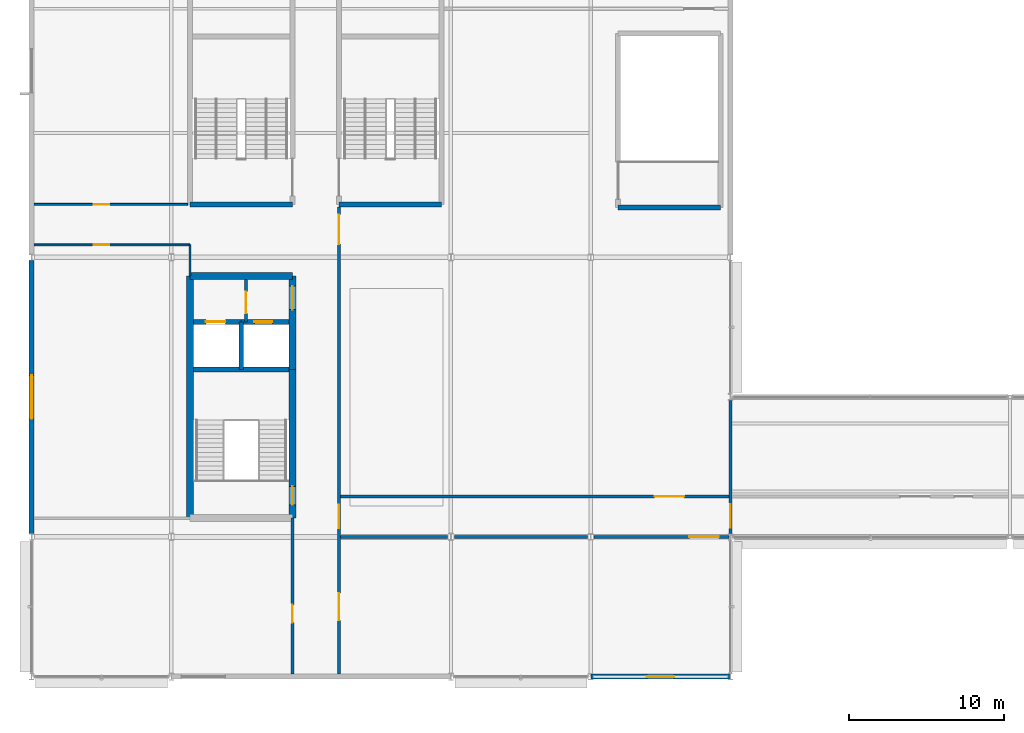
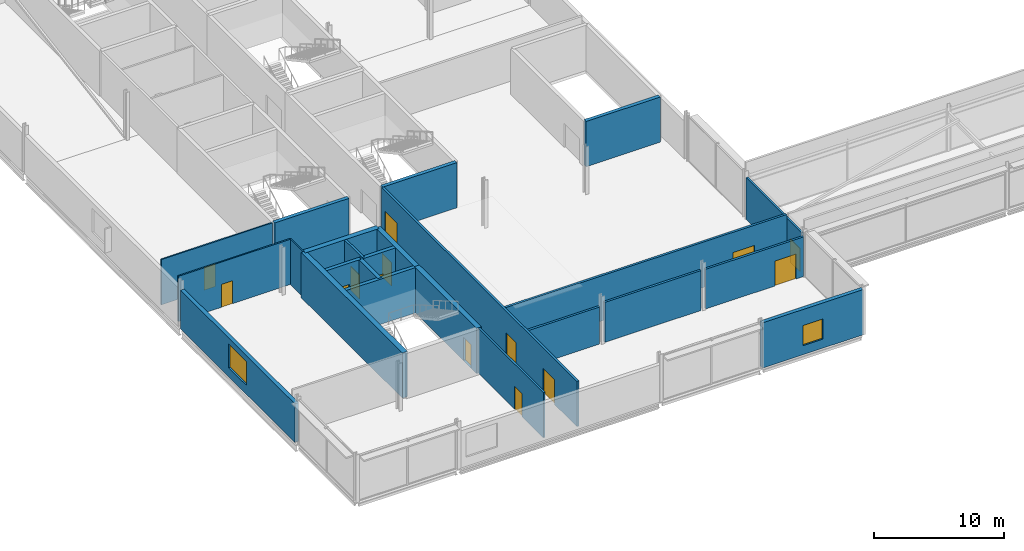
# One storey, part 36 of 73: 24 walls, 14 doors, 2 windows, 16 openings.
"""IFC4 building model written with IfcOpenShell, lengths in metres."""

from ifc_helpers import new_model, si_unit, direction, frame, frame_2d, origin, place, context, subcontext, project, spatial, rectangle, extrude, material, layer, layer_set, type_object, element, fill, save


model = new_model("IFC4")

# Units and contexts
model_context = context("Model", 3, precision=1e-05, world=origin(), true_north=direction((0.0, 1.0)))
body_context = subcontext(model_context, "Body", "Model", "MODEL_VIEW")
ifc_project = project(units=[si_unit("LENGTHUNIT", "METRE"), si_unit("AREAUNIT", "SQUARE_METRE"), si_unit("VOLUMEUNIT", "CUBIC_METRE"), si_unit("PLANEANGLEUNIT", "RADIAN"), si_unit("MASSUNIT", "GRAM", prefix="KILO")], contexts=[model_context])

# Site, building, storey
site_placement = place(None, origin())
site = spatial("IfcSite", under=ifc_project, at=site_placement, CompositionType="ELEMENT")
building_placement = place(site_placement, origin())
building = spatial("IfcBuilding", under=site, at=building_placement, Name="Kisiwana Market Hall", CompositionType="ELEMENT")
storey_placement = place(building_placement, frame((0.0, 0.0, 33.300048828125)))
storey = spatial("IfcBuildingStorey", under=building, at=storey_placement, Name="L07", CompositionType="ELEMENT", Elevation=33.300048828125)

# Wall, opening, door
ifc_material_1 = material(Name="Masonry blockwork", Category="masonry")
ifc_layer_1 = layer(ifc_material_1, 0.199951171875, Name="Plastered fire compartment block wall")
ifc_layer_set_1 = layer_set([ifc_layer_1], Name="WL-COMP-200")
wall_type_1 = type_object("IfcWallType", Name="WL-COMP-200", PredefinedType="PARTITIONING", material=ifc_layer_set_1)
wall_1_placement = place(storey_placement, frame((13.800048828125, 31.844970703125, 0.0), z_axis=(0.0, 0.0, 1.0), x_axis=(0.0, 1.0, 0.0)))
wall_1 = element("IfcWall", 1, at=wall_1_placement, inside=storey, type_object=wall_type_1, Name="Core W2 firefighting lobby wall W-2204", PredefinedType="PARTITIONING", context=body_context, shape_type="SweptSolid", body=[
    extrude(rectangle(XDim=2.72998046875, YDim=0.199951171875, at=frame_2d((1.364990234375, 0.0))), origin(), (0.0, 0.0, 1.0), 4.2548828125),
])
opening_1_placement = place(wall_1_placement, frame((0.550048828125, 0.0, 0.0)))
opening_1 = element("IfcOpeningElement", 2, at=opening_1_placement, cuts=wall_1, Name="Opening DR-L07-003", PredefinedType="OPENING", context=body_context, shape_type="SweptSolid", body=[
    extrude(rectangle(XDim=1.39990234375, YDim=2.25, at=frame_2d((0.699951171875, 1.125))), frame((0.0, 0.11181640625, 0.0), z_axis=(0.0, -1.0, 0.0), x_axis=(1.0, 0.0, 0.0)), (0.0, 0.0, 1.0), 0.223876953125),
])
ifc_material_2 = material(Name="Steel S275", Category="steel")
door_type_1 = type_object("IfcDoorType", Name="DR-FFLOB-FD120-1400", OperationType="DOUBLE_DOOR_SINGLE_SWING", PredefinedType="DOOR", material=ifc_material_2)
door_1_placement = place(opening_1_placement, frame((1.39990234375, 0.0, 0.0), z_axis=(0.0, 0.0, 1.0), x_axis=(-1.0, 0.0, 0.0)))
door_1 = element("IfcDoor", 3, at=door_1_placement, inside=storey, type_object=door_type_1, Name="Firefighting Lift Lobby W2 Door (L07)", OperationType="DOUBLE_DOOR_SINGLE_SWING", OverallHeight=2.25, OverallWidth=1.39990234375, PredefinedType="DOOR", context=body_context, shape_type="SweptSolid", body=[
    extrude(rectangle(XDim=1.39990234375, YDim=2.25, at=frame_2d((0.699951171875, 1.125))), frame((0.0, 0.02490234375, 0.0), z_axis=(0.0, -1.0, 0.0), x_axis=(1.0, 0.0, 0.0)), (0.0, 0.0, 1.0), 0.050048828125),
])
fill(opening_1, door_1)

# Walls
wall_2_placement = place(storey_placement, frame((19.89990234375, 18.0, 0.0), z_axis=(0.0, 0.0, 1.0), x_axis=(1.0, 0.0, 0.0)))
element("IfcWall", 4, at=wall_2_placement, inside=storey, type_object=wall_type_1, Name="Interior partition W-2222", PredefinedType="PARTITIONING", context=body_context, shape_type="SweptSolid", body=[
    extrude(rectangle(XDim=6.875, YDim=0.199951171875, at=frame_2d((3.4375, 0.0))), origin(), (0.0, 0.0, 1.0), 3.49267578125),
])
wall_3_placement = place(storey_placement, frame((27.22509765625, 18.0, 0.0), z_axis=(0.0, 0.0, 1.0), x_axis=(1.0, 0.0, 0.0)))
element("IfcWall", 5, at=wall_3_placement, inside=storey, type_object=wall_type_1, Name="Interior partition W-2223", PredefinedType="PARTITIONING", context=body_context, shape_type="SweptSolid", body=[
    extrude(rectangle(XDim=8.574951171875, YDim=0.199951171875, at=frame_2d((4.28759765625, 0.0))), origin(), (0.0, 0.0, 1.0), 3.7548828125),
])

# Wall, opening, door
wall_4_placement = place(storey_placement, frame((36.199951171875, 18.0, 0.0), z_axis=(0.0, 0.0, 1.0), x_axis=(1.0, 0.0, 0.0)))
wall_4 = element("IfcWall", 6, at=wall_4_placement, inside=storey, type_object=wall_type_1, Name="Interior partition W-2224", PredefinedType="PARTITIONING", context=body_context, shape_type="SweptSolid", body=[
    extrude(rectangle(XDim=8.715087890625, YDim=0.199951171875, at=frame_2d((4.357421875, 0.0))), origin(), (0.0, 0.0, 1.0), 3.724853515625),
])
opening_2_placement = place(wall_4_placement, frame((6.14990234375, 0.0, 0.0)))
opening_2 = element("IfcOpeningElement", 7, at=opening_2_placement, cuts=wall_4, Name="Opening DR-L07-035", PredefinedType="OPENING", context=body_context, shape_type="SweptSolid", body=[
    extrude(rectangle(XDim=1.89990234375, YDim=2.35009765625, at=frame_2d((0.949951171875, 1.175048828125))), frame((0.0, 0.11181640625, 0.0), z_axis=(0.0, -1.0, 0.0), x_axis=(1.0, 0.0, 0.0)), (0.0, 0.0, 1.0), 0.223876953125),
])
ifc_material_3 = material(Name="Steel S275", Category="steel")
door_type_2 = type_object("IfcDoorType", Name="DR-HALL-1900", OperationType="DOUBLE_DOOR_SINGLE_SWING", PredefinedType="DOOR", material=ifc_material_3)
door_2_placement = place(opening_2_placement, frame((1.89990234375, 0.0, 0.0), z_axis=(0.0, 0.0, 1.0), x_axis=(-1.0, 0.0, 0.0)))
door_2 = element("IfcDoor", 8, at=door_2_placement, inside=storey, type_object=door_type_2, Name="L07 W Skybridge Collaboration Lounge Exit Door", OperationType="DOUBLE_DOOR_SINGLE_SWING", OverallHeight=2.35009765625, OverallWidth=1.89990234375, PredefinedType="DOOR", context=body_context, shape_type="SweptSolid", body=[
    extrude(rectangle(XDim=1.89990234375, YDim=2.35009765625, at=frame_2d((0.949951171875, 1.175048828125))), frame((0.0, 0.02490234375, 0.0), z_axis=(0.0, -1.0, 0.0), x_axis=(1.0, 0.0, 0.0)), (0.0, 0.0, 1.0), 0.050048828125),
])
fill(opening_2, door_2)

wall_5_placement = place(storey_placement, frame((19.89990234375, 20.60009765625, 0.0), z_axis=(0.0, 0.0, 1.0), x_axis=(1.0, 0.0, 0.0)))
wall_5 = element("IfcWall", 9, at=wall_5_placement, inside=storey, type_object=wall_type_1, Name="Interior partition W-2225", PredefinedType="PARTITIONING", context=body_context, shape_type="SweptSolid", body=[
    extrude(rectangle(XDim=25.01513671875, YDim=0.199951171875, at=frame_2d((12.507568359375, 0.0))), origin(), (0.0, 0.0, 1.0), 4.2548828125),
])
opening_3_placement = place(wall_5_placement, frame((20.219970703125, 0.0, 0.0)))
opening_3 = element("IfcOpeningElement", 10, at=opening_3_placement, cuts=wall_5, Name="Opening DR-L07-036", PredefinedType="OPENING", context=body_context, shape_type="SweptSolid", body=[
    extrude(rectangle(XDim=1.89990234375, YDim=2.35009765625, at=frame_2d((0.949951171875, 1.175048828125))), frame((0.0, 0.11181640625, 0.0), z_axis=(0.0, -1.0, 0.0), x_axis=(1.0, 0.0, 0.0)), (0.0, 0.0, 1.0), 0.223876953125),
])
door_3_placement = place(opening_3_placement, origin())
door_3 = element("IfcDoor", 11, at=door_3_placement, inside=storey, type_object=door_type_2, Name="L07 W Staff Dining Canteen Exit Door", OperationType="DOUBLE_DOOR_SINGLE_SWING", OverallHeight=2.35009765625, OverallWidth=1.89990234375, PredefinedType="DOOR", context=body_context, shape_type="SweptSolid", body=[
    extrude(rectangle(XDim=1.89990234375, YDim=2.35009765625, at=frame_2d((0.949951171875, 1.175048828125))), frame((0.0, 0.02490234375, 0.0), z_axis=(0.0, -1.0, 0.0), x_axis=(1.0, 0.0, 0.0)), (0.0, 0.0, 1.0), 0.050048828125),
])
fill(opening_3, door_3)

# Wall, openings, doors
wall_6_placement = place(storey_placement, frame((19.800048828125, 9.169921875, 0.0), z_axis=(0.0, 0.0, 1.0), x_axis=(0.0, 1.0, 0.0)))
wall_6 = element("IfcWall", 12, at=wall_6_placement, inside=storey, type_object=wall_type_1, Name="Interior partition W-2230", PredefinedType="PARTITIONING", context=body_context, shape_type="SweptSolid", body=[
    extrude(rectangle(XDim=30.070068359375, YDim=0.199951171875, at=frame_2d((15.03515625, 0.0))), origin(), (0.0, 0.0, 1.0), 4.2548828125),
])
opening_4_placement = place(wall_6_placement, frame((3.449951171875, 0.0, 0.0)))
opening_4 = element("IfcOpeningElement", 13, at=opening_4_placement, cuts=wall_6, Name="Opening DR-L07-038", PredefinedType="OPENING", context=body_context, shape_type="SweptSolid", body=[
    extrude(rectangle(XDim=1.760009765625, YDim=2.35009765625, at=frame_2d((0.8798828125, 1.175048828125))), frame((0.0, 0.11181640625, 0.0), z_axis=(0.0, -1.0, 0.0), x_axis=(1.0, 0.0, 0.0)), (0.0, 0.0, 1.0), 0.223876953125),
])
opening_5_placement = place(wall_6_placement, frame((9.3798828125, 0.0, 0.0)))
opening_5 = element("IfcOpeningElement", 14, at=opening_5_placement, cuts=wall_6, Name="Opening DR-L07-039", PredefinedType="OPENING", context=body_context, shape_type="SweptSolid", body=[
    extrude(rectangle(XDim=1.5, YDim=2.199951171875, at=frame_2d((0.75, 1.10009765625))), frame((0.0, 0.11181640625, 0.0), z_axis=(0.0, -1.0, 0.0), x_axis=(1.0, 0.0, 0.0)), (0.0, 0.0, 1.0), 0.223876953125),
])
opening_6_placement = place(wall_6_placement, frame((27.679931640625, 0.0, 0.0)))
opening_6 = element("IfcOpeningElement", 15, at=opening_6_placement, cuts=wall_6, Name="Opening DR-L07-040", PredefinedType="OPENING", context=body_context, shape_type="SweptSolid", body=[
    extrude(rectangle(XDim=1.89990234375, YDim=2.35009765625, at=frame_2d((0.949951171875, 1.175048828125))), frame((0.0, 0.11181640625, 0.0), z_axis=(0.0, -1.0, 0.0), x_axis=(1.0, 0.0, 0.0)), (0.0, 0.0, 1.0), 0.223876953125),
])
ifc_material_4 = material(Name="Steel S275", Category="steel")
door_type_3 = type_object("IfcDoorType", Name="DR-CORR-FD60-1500", OperationType="DOUBLE_DOOR_SINGLE_SWING", PredefinedType="DOOR", material=ifc_material_4)
door_4_placement = place(opening_5_placement, origin())
door_4 = element("IfcDoor", 16, at=door_4_placement, inside=storey, type_object=door_type_3, Name="L07 W South Skybridge Link Corridor Door", OperationType="DOUBLE_DOOR_SINGLE_SWING", OverallHeight=2.199951171875, OverallWidth=1.5, PredefinedType="DOOR", context=body_context, shape_type="SweptSolid", body=[
    extrude(rectangle(XDim=1.5, YDim=2.199951171875, at=frame_2d((0.75, 1.10009765625))), frame((0.0, 0.02490234375, 0.0), z_axis=(0.0, -1.0, 0.0), x_axis=(1.0, 0.0, 0.0)), (0.0, 0.0, 1.0), 0.050048828125),
])
fill(opening_5, door_4)
ifc_material_5 = material(Name="Hardwood timber", Category="wood")
door_type_4 = type_object("IfcDoorType", Name="DR-HALL-1760", OperationType="DOUBLE_DOOR_SINGLE_SWING", PredefinedType="DOOR", material=ifc_material_5)
door_5_placement = place(opening_4_placement, frame((1.760009765625, 0.0, 0.0), z_axis=(0.0, 0.0, 1.0), x_axis=(-1.0, 0.0, 0.0)))
door_5 = element("IfcDoor", 17, at=door_5_placement, inside=storey, type_object=door_type_4, Name="L07 W Skybridge Collaboration Lounge Door", OperationType="DOUBLE_DOOR_SINGLE_SWING", OverallHeight=2.35009765625, OverallWidth=1.760009765625, PredefinedType="DOOR", context=body_context, shape_type="SweptSolid", body=[
    extrude(rectangle(XDim=1.760009765625, YDim=2.35009765625, at=frame_2d((0.8798828125, 1.175048828125))), frame((0.0, 0.02490234375, 0.0), z_axis=(0.0, -1.0, 0.0), x_axis=(1.0, 0.0, 0.0)), (0.0, 0.0, 1.0), 0.050048828125),
])
fill(opening_4, door_5)
door_6_placement = place(opening_6_placement, frame((1.89990234375, 0.0, 0.0), z_axis=(0.0, 0.0, 1.0), x_axis=(-1.0, 0.0, 0.0)))
door_6 = element("IfcDoor", 18, at=door_6_placement, inside=storey, type_object=door_type_2, Name="L07 W Staff Dining Canteen Exit Door", OperationType="DOUBLE_DOOR_SINGLE_SWING", OverallHeight=2.35009765625, OverallWidth=1.89990234375, PredefinedType="DOOR", context=body_context, shape_type="SweptSolid", body=[
    extrude(rectangle(XDim=1.89990234375, YDim=2.35009765625, at=frame_2d((0.949951171875, 1.175048828125))), frame((0.0, 0.02490234375, 0.0), z_axis=(0.0, -1.0, 0.0), x_axis=(1.0, 0.0, 0.0)), (0.0, 0.0, 1.0), 0.050048828125),
])
fill(opening_6, door_6)

# Walls
ifc_material_6 = material(Name="Concrete C40/50", Category="concrete")
ifc_layer_2 = layer(ifc_material_6, 0.320068359375, Name="Reinforced concrete shaft wall")
ifc_layer_set_2 = layer_set([ifc_layer_2], Name="WL-CORE-320")
wall_type_2 = type_object("IfcWallType", Name="WL-CORE-320", PredefinedType="SHEAR", material=ifc_layer_set_2)
wall_7_placement = place(storey_placement, frame((10.425048828125, 28.784912109375, 0.0), z_axis=(0.0, 0.0, 1.0), x_axis=(1.0, 0.0, 0.0)))
element("IfcWall", 19, at=wall_7_placement, inside=storey, type_object=wall_type_2, Name="Core W2 shaft back shear wall W-2083", PredefinedType="SHEAR", context=body_context, shape_type="SweptSolid", body=[
    extrude(rectangle(XDim=6.14990234375, YDim=0.320068359375, at=frame_2d((3.074951171875, 0.0))), origin(), (0.0, 0.0, 1.0), 4.2548828125),
])
wall_8_placement = place(storey_placement, frame((13.5, 28.784912109375, 0.0), z_axis=(0.0, 0.0, 1.0), x_axis=(0.0, 1.0, 0.0)))
element("IfcWall", 20, at=wall_8_placement, inside=storey, type_object=wall_type_2, Name="Core W2 inter-shaft shear wall W-2084", PredefinedType="SHEAR", context=body_context, shape_type="SweptSolid", body=[
    extrude(rectangle(XDim=3.06005859375, YDim=0.320068359375, at=frame_2d((1.530029296875, 0.0))), origin(), (0.0, 0.0, 1.0), 4.2548828125),
])

# Wall, opening, door
wall_9_placement = place(storey_placement, frame((10.425048828125, 31.844970703125, 0.0), z_axis=(0.0, 0.0, 1.0), x_axis=(1.0, 0.0, 0.0)))
wall_9 = element("IfcWall", 21, at=wall_9_placement, inside=storey, type_object=wall_type_2, Name="Core W2 west lift front wall W-2085", PredefinedType="SHEAR", context=body_context, shape_type="SweptSolid", body=[
    extrude(rectangle(XDim=3.074951171875, YDim=0.320068359375, at=frame_2d((1.53759765625, 0.0))), origin(), (0.0, 0.0, 1.0), 4.2548828125),
])
opening_7_placement = place(wall_9_placement, frame((0.800048828125, 0.0, 0.0)))
opening_7 = element("IfcOpeningElement", 22, at=opening_7_placement, cuts=wall_9, Name="Opening LD-L07-001", PredefinedType="OPENING", context=body_context, shape_type="SweptSolid", body=[
    extrude(rectangle(XDim=1.25, YDim=2.25, at=frame_2d((0.625, 1.125))), frame((0.0, 0.171875, 0.0), z_axis=(0.0, -1.0, 0.0), x_axis=(1.0, 0.0, 0.0)), (0.0, 0.0, 1.0), 0.343994140625),
])
ifc_material_7 = material(Name="Steel S275", Category="steel")
door_type_5 = type_object("IfcDoorType", Name="DR-LIFT-FFL-1250", OperationType="DOUBLE_DOOR_SLIDING", PredefinedType="DOOR", material=ifc_material_7)
door_7_placement = place(opening_7_placement, origin())
door_7 = element("IfcDoor", 23, at=door_7_placement, inside=storey, type_object=door_type_5, Name="Lift Landing Door FFL-01 (L07)", OperationType="DOUBLE_DOOR_SLIDING", OverallHeight=2.25, OverallWidth=1.25, PredefinedType="DOOR", context=body_context, shape_type="SweptSolid", body=[
    extrude(rectangle(XDim=1.25, YDim=2.25, at=frame_2d((0.625, 1.125))), frame((0.0, 0.02490234375, 0.0), z_axis=(0.0, -1.0, 0.0), x_axis=(1.0, 0.0, 0.0)), (0.0, 0.0, 1.0), 0.050048828125),
])
fill(opening_7, door_7)

wall_10_placement = place(storey_placement, frame((13.5, 31.844970703125, 0.0), z_axis=(0.0, 0.0, 1.0), x_axis=(1.0, 0.0, 0.0)))
wall_10 = element("IfcWall", 24, at=wall_10_placement, inside=storey, type_object=wall_type_2, Name="Core W2 east lift front wall W-2086", PredefinedType="SHEAR", context=body_context, shape_type="SweptSolid", body=[
    extrude(rectangle(XDim=3.074951171875, YDim=0.320068359375, at=frame_2d((1.53759765625, 0.0))), origin(), (0.0, 0.0, 1.0), 4.2548828125),
])
opening_8_placement = place(wall_10_placement, frame((0.85009765625, 0.0, 0.0)))
opening_8 = element("IfcOpeningElement", 25, at=opening_8_placement, cuts=wall_10, Name="Opening LD-L07-002", PredefinedType="OPENING", context=body_context, shape_type="SweptSolid", body=[
    extrude(rectangle(XDim=1.14990234375, YDim=2.199951171875, at=frame_2d((0.574951171875, 1.10009765625))), frame((0.0, 0.171875, 0.0), z_axis=(0.0, -1.0, 0.0), x_axis=(1.0, 0.0, 0.0)), (0.0, 0.0, 1.0), 0.343994140625),
])
ifc_material_8 = material(Name="Steel S275", Category="steel")
door_type_6 = type_object("IfcDoorType", Name="DR-LIFT-PAX-1150", OperationType="DOUBLE_DOOR_SLIDING", PredefinedType="DOOR", material=ifc_material_8)
door_8_placement = place(opening_8_placement, origin())
door_8 = element("IfcDoor", 26, at=door_8_placement, inside=storey, type_object=door_type_6, Name="Lift Landing Door LP-01 (L07)", OperationType="DOUBLE_DOOR_SLIDING", OverallHeight=2.199951171875, OverallWidth=1.14990234375, PredefinedType="DOOR", context=body_context, shape_type="SweptSolid", body=[
    extrude(rectangle(XDim=1.14990234375, YDim=2.199951171875, at=frame_2d((0.574951171875, 1.10009765625))), frame((0.0, 0.02490234375, 0.0), z_axis=(0.0, -1.0, 0.0), x_axis=(1.0, 0.0, 0.0)), (0.0, 0.0, 1.0), 0.050048828125),
])
fill(opening_8, door_8)

# Walls
wall_11_placement = place(storey_placement, frame((10.199951171875, 39.39990234375, 0.0), z_axis=(0.0, 0.0, 1.0), x_axis=(1.0, 0.0, 0.0)))
element("IfcWall", 27, at=wall_11_placement, inside=storey, type_object=wall_type_2, Name="Core W3 south shear wall W-2114", PredefinedType="SHEAR", context=body_context, shape_type="SweptSolid", body=[
    extrude(rectangle(XDim=6.60009765625, YDim=0.320068359375, at=frame_2d((3.300048828125, 0.0))), origin(), (0.0, 0.0, 1.0), 4.2548828125),
])
wall_12_placement = place(storey_placement, frame((19.800048828125, 39.39990234375, 0.0), z_axis=(0.0, 0.0, 1.0), x_axis=(1.0, 0.0, 0.0)))
element("IfcWall", 28, at=wall_12_placement, inside=storey, type_object=wall_type_2, Name="Core W7 south shear wall W-2134", PredefinedType="SHEAR", context=body_context, shape_type="SweptSolid", body=[
    extrude(rectangle(XDim=6.599853515625, YDim=0.320068359375, at=frame_2d((3.2998046875, 0.0))), origin(), (0.0, 0.0, 1.0), 4.2548828125),
])
wall_13_placement = place(storey_placement, frame((37.77001953125, 39.199951171875, 0.0), z_axis=(0.0, 0.0, 1.0), x_axis=(1.0, 0.0, 0.0)))
element("IfcWall", 29, at=wall_13_placement, inside=storey, type_object=wall_type_2, Name="Core W9 south shear wall W-2154", PredefinedType="SHEAR", context=body_context, shape_type="SweptSolid", body=[
    extrude(rectangle(XDim=6.60009765625, YDim=0.320068359375, at=frame_2d((3.300048828125, 0.0))), origin(), (0.0, 0.0, 1.0), 4.2548828125),
])
ifc_material_9 = material(Name="Concrete C40/50", Category="concrete")
ifc_layer_3 = layer(ifc_material_9, 0.449951171875, Name="Reinforced concrete core wall")
ifc_layer_set_3 = layer_set([ifc_layer_3], Name="WL-CORE-450")
wall_type_3 = type_object("IfcWallType", Name="WL-CORE-450", PredefinedType="SHEAR", material=ifc_layer_set_3)
wall_14_placement = place(storey_placement, frame((10.199951171875, 34.800048828125, 0.0), z_axis=(0.0, 0.0, 1.0), x_axis=(1.0, 0.0, 0.0)))
element("IfcWall", 30, at=wall_14_placement, inside=storey, type_object=wall_type_3, Name="Core W2 north shear wall W-2079", PredefinedType="SHEAR", context=body_context, shape_type="SweptSolid", body=[
    extrude(rectangle(XDim=6.60009765625, YDim=0.449951171875, at=frame_2d((3.300048828125, 0.0))), origin(), (0.0, 0.0, 1.0), 4.2548828125),
])
wall_15_placement = place(storey_placement, frame((10.199951171875, 19.199951171875, 0.0), z_axis=(0.0, 0.0, 1.0), x_axis=(0.0, 1.0, 0.0)))
element("IfcWall", 31, at=wall_15_placement, inside=storey, type_object=wall_type_3, Name="Core W2 outer shear wall W-2080", PredefinedType="SHEAR", context=body_context, shape_type="SweptSolid", body=[
    extrude(rectangle(XDim=15.60009765625, YDim=0.449951171875, at=frame_2d((7.800048828125, 0.0))), origin(), (0.0, 0.0, 1.0), 4.2548828125),
])

# Wall, opening, door
wall_16_placement = place(storey_placement, frame((16.800048828125, 19.199951171875, 0.0), z_axis=(0.0, 0.0, 1.0), x_axis=(0.0, 1.0, 0.0)))
wall_16 = element("IfcWall", 32, at=wall_16_placement, inside=storey, type_object=wall_type_3, Name="Core W2 stair corridor shear wall W-2081", PredefinedType="SHEAR", context=body_context, shape_type="SweptSolid", body=[
    extrude(rectangle(XDim=9.5849609375, YDim=0.449951171875, at=frame_2d((4.79248046875, 0.0))), origin(), (0.0, 0.0, 1.0), 4.2548828125),
])
opening_9_placement = place(wall_16_placement, frame((0.85009765625, 0.0, 0.0)))
opening_9 = element("IfcOpeningElement", 33, at=opening_9_placement, cuts=wall_16, Name="Opening DR-L07-001", PredefinedType="OPENING", context=body_context, shape_type="SweptSolid", body=[
    extrude(rectangle(XDim=1.199951171875, YDim=2.199951171875, at=frame_2d((0.60009765625, 1.10009765625))), frame((0.0, 0.23681640625, 0.0), z_axis=(0.0, -1.0, 0.0), x_axis=(1.0, 0.0, 0.0)), (0.0, 0.0, 1.0), 0.473876953125),
])
ifc_material_10 = material(Name="Steel S275", Category="steel")
door_type_7 = type_object("IfcDoorType", Name="DR-STAIR-FD120-1200", OperationType="NOTDEFINED", PredefinedType="DOOR", material=ifc_material_10)
door_9_placement = place(opening_9_placement, origin())
door_9 = element("IfcDoor", 34, at=door_9_placement, inside=storey, type_object=door_type_7, Name="Escape Stair W2 Fire Door (L07)", OperationType="SINGLE_SWING_LEFT", OverallHeight=2.199951171875, OverallWidth=1.199951171875, PredefinedType="DOOR", context=body_context, shape_type="SweptSolid", body=[
    extrude(rectangle(XDim=1.199951171875, YDim=2.199951171875, at=frame_2d((0.60009765625, 1.10009765625))), frame((0.0, 0.02490234375, 0.0), z_axis=(0.0, -1.0, 0.0), x_axis=(1.0, 0.0, 0.0)), (0.0, 0.0, 1.0), 0.050048828125),
])
fill(opening_9, door_9)

wall_17_placement = place(storey_placement, frame((16.800048828125, 28.784912109375, 0.0), z_axis=(0.0, 0.0, 1.0), x_axis=(0.0, 1.0, 0.0)))
wall_17 = element("IfcWall", 35, at=wall_17_placement, inside=storey, type_object=wall_type_3, Name="Core W2 lobby corridor shear wall W-2082", PredefinedType="SHEAR", context=body_context, shape_type="SweptSolid", body=[
    extrude(rectangle(XDim=6.01513671875, YDim=0.449951171875, at=frame_2d((3.007568359375, 0.0))), origin(), (0.0, 0.0, 1.0), 4.2548828125),
])
opening_10_placement = place(wall_17_placement, frame((3.85009765625, 0.0, 0.0)))
opening_10 = element("IfcOpeningElement", 36, at=opening_10_placement, cuts=wall_17, Name="Opening DR-L07-002", PredefinedType="OPENING", context=body_context, shape_type="SweptSolid", body=[
    extrude(rectangle(XDim=1.5, YDim=2.199951171875, at=frame_2d((0.75, 1.10009765625))), frame((0.0, 0.23681640625, 0.0), z_axis=(0.0, -1.0, 0.0), x_axis=(1.0, 0.0, 0.0)), (0.0, 0.0, 1.0), 0.473876953125),
])
door_10_placement = place(opening_10_placement, frame((1.5, 0.0, 0.0), z_axis=(0.0, 0.0, 1.0), x_axis=(-1.0, 0.0, 0.0)))
door_10 = element("IfcDoor", 37, at=door_10_placement, inside=storey, type_object=door_type_3, Name="Passenger Lift Lobby W2 Smoke Door (L07)", OperationType="DOUBLE_DOOR_SINGLE_SWING", OverallHeight=2.199951171875, OverallWidth=1.5, PredefinedType="DOOR", context=body_context, shape_type="SweptSolid", body=[
    extrude(rectangle(XDim=1.5, YDim=2.199951171875, at=frame_2d((0.75, 1.10009765625))), frame((0.0, 0.02490234375, 0.0), z_axis=(0.0, -1.0, 0.0), x_axis=(1.0, 0.0, 0.0)), (0.0, 0.0, 1.0), 0.050048828125),
])
fill(opening_10, door_10)

ifc_material_11 = material(Name="Masonry blockwork", Category="masonry")
ifc_layer_4 = layer(ifc_material_11, 0.169921875, Name="Protected corridor partition")
ifc_layer_set_4 = layer_set([ifc_layer_4], Name="WL-CORR-170")
wall_type_4 = type_object("IfcWallType", Name="WL-CORR-170", PredefinedType="PARTITIONING", material=ifc_layer_set_4)
wall_18_placement = place(storey_placement, frame((16.800048828125, 9.169921875, 0.0), z_axis=(0.0, 0.0, 1.0), x_axis=(0.0, 1.0, 0.0)))
wall_18 = element("IfcWall", 38, at=wall_18_placement, inside=storey, type_object=wall_type_4, Name="Interior partition W-2220", PredefinedType="PARTITIONING", context=body_context, shape_type="SweptSolid", body=[
    extrude(rectangle(XDim=10.030029296875, YDim=0.169921875, at=frame_2d((5.01513671875, 0.0))), origin(), (0.0, 0.0, 1.0), 4.2548828125),
])
opening_11_placement = place(wall_18_placement, frame((3.300048828125, 0.0, 0.0)))
opening_11 = element("IfcOpeningElement", 39, at=opening_11_placement, cuts=wall_18, Name="Opening DR-L07-033", PredefinedType="OPENING", context=body_context, shape_type="SweptSolid", body=[
    extrude(rectangle(XDim=1.14990234375, YDim=2.14990234375, at=frame_2d((0.574951171875, 1.074951171875))), frame((0.0, 0.096923828125, 0.0), z_axis=(0.0, -1.0, 0.0), x_axis=(1.0, 0.0, 0.0)), (0.0, 0.0, 1.0), 0.19384765625),
])
ifc_material_12 = material(Name="Aluminium alloy 6063-T6", Category="aluminium")
door_type_8 = type_object("IfcDoorType", Name="DR-MEET-1150", OperationType="NOTDEFINED", PredefinedType="DOOR", material=ifc_material_12)
door_11_placement = place(opening_11_placement, origin())
door_11 = element("IfcDoor", 40, at=door_11_placement, inside=storey, type_object=door_type_8, Name="L07 W Corner Office Suite South Door", OperationType="SINGLE_SWING_LEFT", OverallHeight=2.14990234375, OverallWidth=1.14990234375, PredefinedType="DOOR", context=body_context, shape_type="SweptSolid", body=[
    extrude(rectangle(XDim=1.14990234375, YDim=2.14990234375, at=frame_2d((0.574951171875, 1.074951171875))), frame((0.0, 0.02490234375, 0.0), z_axis=(0.0, -1.0, 0.0), x_axis=(1.0, 0.0, 0.0)), (0.0, 0.0, 1.0), 0.050048828125),
])
fill(opening_11, door_11)

wall_19_placement = place(storey_placement, frame((45.0, 18.219970703125, 0.0), z_axis=(0.0, 0.0, 1.0), x_axis=(0.0, 1.0, 0.0)))
wall_19 = element("IfcWall", 41, at=wall_19_placement, inside=storey, type_object=wall_type_4, Name="Interior partition W-2232", PredefinedType="PARTITIONING", context=body_context, shape_type="SweptSolid", body=[
    extrude(rectangle(XDim=8.56005859375, YDim=0.169921875, at=frame_2d((4.280029296875, 0.0))), origin(), (0.0, 0.0, 1.0), 3.925048828125),
])
opening_12_placement = place(wall_19_placement, frame((0.3798828125, 0.0, 0.0)))
opening_12 = element("IfcOpeningElement", 42, at=opening_12_placement, cuts=wall_19, Name="Opening DR-L07-045", PredefinedType="OPENING", context=body_context, shape_type="SweptSolid", body=[
    extrude(rectangle(XDim=1.5, YDim=2.199951171875, at=frame_2d((0.75, 1.10009765625))), frame((0.0, 0.096923828125, 0.0), z_axis=(0.0, -1.0, 0.0), x_axis=(1.0, 0.0, 0.0)), (0.0, 0.0, 1.0), 0.19384765625),
])
door_12_placement = place(opening_12_placement, origin())
door_12 = element("IfcDoor", 43, at=door_12_placement, inside=storey, type_object=door_type_3, Name="L07 W South Skybridge Spine Door", OperationType="DOUBLE_DOOR_SINGLE_SWING", OverallHeight=2.199951171875, OverallWidth=1.5, PredefinedType="DOOR", context=body_context, shape_type="SweptSolid", body=[
    extrude(rectangle(XDim=1.5, YDim=2.199951171875, at=frame_2d((0.75, 1.10009765625))), frame((0.0, 0.02490234375, 0.0), z_axis=(0.0, -1.0, 0.0), x_axis=(1.0, 0.0, 0.0)), (0.0, 0.0, 1.0), 0.050048828125),
])
fill(opening_12, door_12)

# Wall, opening, window
ifc_material_13 = material(Name="Concrete C40/50 precast", Category="concrete")
ifc_layer_5 = layer(ifc_material_13, 0.14990234375, Name="Precast architectural concrete spandrel")
ifc_material_14 = material(Name="Mineral wool insulation")
ifc_layer_6 = layer(ifc_material_14, 0.090087890625, Name="Rockwool thermal insulation")
ifc_material_15 = material(Name="Masonry blockwork", Category="masonry")
ifc_layer_7 = layer(ifc_material_15, 0.10009765625, Name="Inner masonry block leaf")
ifc_layer_set_5 = layer_set([ifc_layer_5, ifc_layer_6, ifc_layer_7], Name="WL-EXT-PREC-340")
wall_type_5 = type_object("IfcWallType", Name="WL-EXT-PREC-340", PredefinedType="STANDARD", material=ifc_layer_set_5)
wall_20_placement = place(storey_placement, frame((36.010009765625, 9.0, 0.0), z_axis=(0.0, 0.0, 1.0), x_axis=(1.0, 0.0, 0.0)))
wall_20 = element("IfcWall", 44, at=wall_20_placement, inside=storey, type_object=wall_type_5, Name="Exterior wall W-2179", PredefinedType="STANDARD", context=body_context, shape_type="SweptSolid", body=[
    extrude(rectangle(XDim=8.97998046875, YDim=0.340087890625, at=frame_2d((4.489990234375, 0.0))), origin(), (0.0, 0.0, 1.0), 4.2548828125),
])
opening_13_placement = place(wall_20_placement, frame((3.614990234375, 0.0, 0.85009765625)))
opening_13 = element("IfcOpeningElement", 45, at=opening_13_placement, cuts=wall_20, Name="Opening W-32", PredefinedType="OPENING", context=body_context, shape_type="SweptSolid", body=[
    extrude(rectangle(XDim=1.75, YDim=1.89990234375, at=frame_2d((0.875, 0.949951171875))), frame((0.0, 0.18212890625, 0.0), z_axis=(0.0, -1.0, 0.0), x_axis=(1.0, 0.0, 0.0)), (0.0, 0.0, 1.0), 0.364013671875),
])
ifc_material_16 = material(Name="Double-glazed solar-control low-E IGU", Category="glass")
window_type_1 = type_object("IfcWindowType", Name="WN-TWRB-1750x1900", PartitioningType="SINGLE_PANEL", PredefinedType="WINDOW", material=ifc_material_16)
window_1_placement = place(opening_13_placement, origin())
window_1 = element("IfcWindow", 46, at=window_1_placement, inside=storey, type_object=window_type_1, Name="Exterior window WN-208", OverallHeight=1.89990234375, OverallWidth=1.75, PartitioningType="SINGLE_PANEL", PredefinedType="WINDOW", context=body_context, shape_type="SweptSolid", body=[
    extrude(rectangle(XDim=1.75, YDim=1.89990234375, at=frame_2d((0.875, 0.949951171875))), frame((0.0, 0.030029296875, 0.0), z_axis=(0.0, -1.0, 0.0), x_axis=(1.0, 0.0, 0.0)), (0.0, 0.0, 1.0), 0.06005859375),
])
fill(opening_13, window_1)

wall_21_placement = place(storey_placement, frame((0.0, 18.197998046875, 0.0), z_axis=(0.0, 0.0, 1.0), x_axis=(0.0, 1.0, 0.0)))
wall_21 = element("IfcWall", 47, at=wall_21_placement, inside=storey, type_object=wall_type_5, Name="Exterior wall W-2188", PredefinedType="STANDARD", context=body_context, shape_type="SweptSolid", body=[
    extrude(rectangle(XDim=17.60400390625, YDim=0.340087890625, at=frame_2d((8.802001953125, 0.0))), origin(), (0.0, 0.0, 1.0), 3.642822265625),
])
opening_14_placement = place(wall_21_placement, frame((7.402099609375, 0.0, 0.85009765625)))
opening_14 = element("IfcOpeningElement", 48, at=opening_14_placement, cuts=wall_21, Name="Opening WN-03", PredefinedType="OPENING", context=body_context, shape_type="SweptSolid", body=[
    extrude(rectangle(XDim=2.800048828125, YDim=2.25, at=frame_2d((1.39990234375, 1.125))), frame((0.0, 0.18212890625, 0.0), z_axis=(0.0, -1.0, 0.0), x_axis=(1.0, 0.0, 0.0)), (0.0, 0.0, 1.0), 0.364013671875),
])
ifc_material_17 = material(Name="Double-glazed solar-control low-E IGU", Category="glass")
window_type_2 = type_object("IfcWindowType", Name="WN-SKYB-2800x2250", PartitioningType="SINGLE_PANEL", PredefinedType="WINDOW", material=ifc_material_17)
window_2_placement = place(opening_14_placement, origin())
window_2 = element("IfcWindow", 49, at=window_2_placement, inside=storey, type_object=window_type_2, Name="Exterior window WN-218", OverallHeight=2.25, OverallWidth=2.800048828125, PartitioningType="SINGLE_PANEL", PredefinedType="WINDOW", context=body_context, shape_type="SweptSolid", body=[
    extrude(rectangle(XDim=2.800048828125, YDim=2.25, at=frame_2d((1.39990234375, 1.125))), frame((0.0, 0.030029296875, 0.0), z_axis=(0.0, -1.0, 0.0), x_axis=(1.0, 0.0, 0.0)), (0.0, 0.0, 1.0), 0.06005859375),
])
fill(opening_14, window_2)

# Wall
ifc_material_18 = material(Name="Gypsum plasterboard")
ifc_layer_8 = layer(ifc_material_18, 0.125, Name="Double gypsum board + acoustic stud")
ifc_layer_set_6 = layer_set([ifc_layer_8], Name="WL-OFF-125")
wall_type_6 = type_object("IfcWallType", Name="WL-OFF-125", PredefinedType="PARTITIONING", material=ifc_layer_set_6)
wall_22_placement = place(storey_placement, frame((10.199951171875, 34.800048828125, 0.0), z_axis=(0.0, 0.0, 1.0), x_axis=(0.0, 1.0, 0.0)))
element("IfcWall", 50, at=wall_22_placement, inside=storey, type_object=wall_type_6, Name="Interior partition W-2212", PredefinedType="PARTITIONING", context=body_context, shape_type="SweptSolid", body=[
    extrude(rectangle(XDim=2.0, YDim=0.125, at=frame_2d((1.0, 0.0))), origin(), (0.0, 0.0, 1.0), 4.2548828125),
])

# Wall, opening, door
wall_23_placement = place(storey_placement, frame((0.169921875, 36.800048828125, 0.0), z_axis=(0.0, 0.0, 1.0), x_axis=(1.0, 0.0, 0.0)))
wall_23 = element("IfcWall", 51, at=wall_23_placement, inside=storey, type_object=wall_type_6, Name="Interior partition W-2216", PredefinedType="PARTITIONING", context=body_context, shape_type="SweptSolid", body=[
    extrude(rectangle(XDim=10.030029296875, YDim=0.125, at=frame_2d((5.01513671875, 0.0))), origin(), (0.0, 0.0, 1.0), 4.2548828125),
])
opening_15_placement = place(wall_23_placement, frame((3.830078125, 0.0, 0.0)))
opening_15 = element("IfcOpeningElement", 52, at=opening_15_placement, cuts=wall_23, Name="Opening DR-L07-030", PredefinedType="OPENING", context=body_context, shape_type="SweptSolid", body=[
    extrude(rectangle(XDim=1.0, YDim=2.14990234375, at=frame_2d((0.5, 1.074951171875))), frame((0.0, 0.074462890625, 0.0), z_axis=(0.0, -1.0, 0.0), x_axis=(1.0, 0.0, 0.0)), (0.0, 0.0, 1.0), 0.14892578125),
])
ifc_material_19 = material(Name="Aluminium alloy 6063-T6", Category="aluminium")
door_type_9 = type_object("IfcDoorType", Name="DR-OFF-1000", OperationType="NOTDEFINED", PredefinedType="DOOR", material=ifc_material_19)
door_13_placement = place(opening_15_placement, frame((1.0, 0.0, 0.0), z_axis=(0.0, 0.0, 1.0), x_axis=(-1.0, 0.0, 0.0)))
door_13 = element("IfcDoor", 53, at=door_13_placement, inside=storey, type_object=door_type_9, Name="L07 W Commercial Office South Door", OperationType="SINGLE_SWING_RIGHT", OverallHeight=2.14990234375, OverallWidth=1.0, PredefinedType="DOOR", context=body_context, shape_type="SweptSolid", body=[
    extrude(rectangle(XDim=1.0, YDim=2.14990234375, at=frame_2d((0.5, 1.074951171875))), frame((0.0, 0.02490234375, 0.0), z_axis=(0.0, -1.0, 0.0), x_axis=(1.0, 0.0, 0.0)), (0.0, 0.0, 1.0), 0.050048828125),
])
fill(opening_15, door_13)

wall_24_placement = place(storey_placement, frame((0.169921875, 39.39990234375, 0.0), z_axis=(0.0, 0.0, 1.0), x_axis=(1.0, 0.0, 0.0)))
wall_24 = element("IfcWall", 54, at=wall_24_placement, inside=storey, type_object=wall_type_6, Name="Interior partition W-2217", PredefinedType="PARTITIONING", context=body_context, shape_type="SweptSolid", body=[
    extrude(rectangle(XDim=9.8701171875, YDim=0.125, at=frame_2d((4.93505859375, 0.0))), origin(), (0.0, 0.0, 1.0), 4.2548828125),
])
opening_16_placement = place(wall_24_placement, frame((3.830078125, 0.0, 0.0)))
opening_16 = element("IfcOpeningElement", 55, at=opening_16_placement, cuts=wall_24, Name="Opening DR-L07-031", PredefinedType="OPENING", context=body_context, shape_type="SweptSolid", body=[
    extrude(rectangle(XDim=1.0, YDim=2.14990234375, at=frame_2d((0.5, 1.074951171875))), frame((0.0, 0.074462890625, 0.0), z_axis=(0.0, -1.0, 0.0), x_axis=(1.0, 0.0, 0.0)), (0.0, 0.0, 1.0), 0.14892578125),
])
door_14_placement = place(opening_16_placement, origin())
door_14 = element("IfcDoor", 56, at=door_14_placement, inside=storey, type_object=door_type_9, Name="L07 W Commercial Office Central Door", OperationType="SINGLE_SWING_LEFT", OverallHeight=2.14990234375, OverallWidth=1.0, PredefinedType="DOOR", context=body_context, shape_type="SweptSolid", body=[
    extrude(rectangle(XDim=1.0, YDim=2.14990234375, at=frame_2d((0.5, 1.074951171875))), frame((0.0, 0.02490234375, 0.0), z_axis=(0.0, -1.0, 0.0), x_axis=(1.0, 0.0, 0.0)), (0.0, 0.0, 1.0), 0.050048828125),
])
fill(opening_16, door_14)

save(model, "model.ifc")
